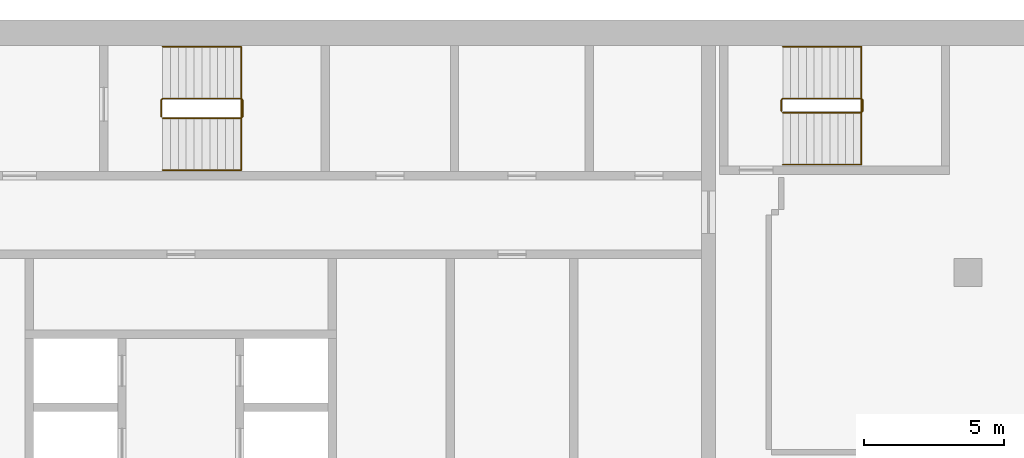
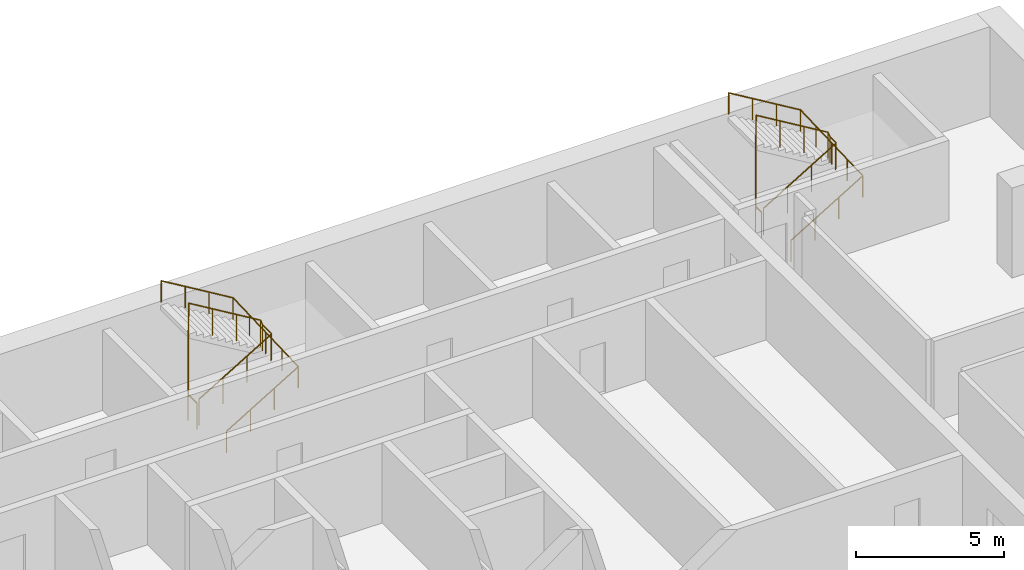
# One storey, part 16 of 16: 4 railings.
"""IFC4 building model written with IfcOpenShell, lengths in metres."""

from ifc_helpers import new_model, si_unit, direction, frame, origin, origin_2d, place, context, subcontext, project, spatial, circle, extrude, material, type_object, element, save


model = new_model("IFC4")

# Units and contexts
model_context = context("Model", 3, precision=1e-05, world=origin(), true_north=direction((0.0, 1.0)))
body_context = subcontext(model_context, "Body", "Model", "MODEL_VIEW")
ifc_project = project(units=[si_unit("LENGTHUNIT", "METRE"), si_unit("AREAUNIT", "SQUARE_METRE"), si_unit("VOLUMEUNIT", "CUBIC_METRE"), si_unit("PLANEANGLEUNIT", "RADIAN"), si_unit("MASSUNIT", "GRAM", prefix="KILO")], contexts=[model_context])

# Site, building, storey
site_placement = place(None, origin())
site = spatial("IfcSite", under=ifc_project, at=site_placement, CompositionType="ELEMENT")
building_placement = place(site_placement, origin())
building = spatial("IfcBuilding", under=site, at=building_placement, Name="Hunhe Ridgeline Campus", CompositionType="ELEMENT")
storey_placement = place(building_placement, frame((0.0, 0.0, 250.300048828125)))
storey = spatial("IfcBuildingStorey", under=building, at=storey_placement, Name="L64", CompositionType="ELEMENT", Elevation=250.300048828125)

# Railings
ifc_material_1 = material(Name="Stainless steel balustrade", Category="steel")
railing_type_1 = type_object("IfcRailingType", Name="Stair guard 1100 stainless", PredefinedType="GUARDRAIL", material=ifc_material_1)
railing_1_placement = place(storey_placement, frame((16.300048828125, 95.5, 0.168212890625)))
element("IfcRailing", 1, at=railing_1_placement, inside=storey, type_object=railing_type_1, Name="L64 stair S1 guard", PredefinedType="GUARDRAIL", context=body_context, shape_type="SweptSolid", body=[
    extrude(circle(Radius=0.02392578125, at=origin_2d()), frame((0.0, 0.0, 1.076171875), z_axis=(0.857275202839, 0.0, 0.514858452973), x_axis=(0.0, 1.0, 0.0)), (0.0, 0.0, 1.0), 3.26611328125),
    extrude(circle(Radius=0.02392578125, at=origin_2d()), frame((2.800048828125, 0.0, 2.7578125), z_axis=(0.705375805398, 0.708833529934, 0.0), x_axis=(-0.708833529934, 0.705375805398, 0.0)), (0.0, 0.0, 1.0), 0.070556640625),
    extrude(circle(Radius=0.02392578125, at=origin_2d()), frame((2.849853515625, 0.050048828125, 2.7578125), z_axis=(0.0, 1.0, 0.0), x_axis=(-1.0, 0.0, 0.0)), (0.0, 0.0, 1.0), 0.599853515625),
    extrude(circle(Radius=0.02392578125, at=origin_2d()), frame((2.849853515625, 0.64990234375, 2.7578125), z_axis=(-0.273006030465, 0.27434429532, 0.922064485248), x_axis=(-0.708833529934, -0.705375805398, 0.0)), (0.0, 0.0, 1.0), 0.182373046875),
    extrude(circle(Radius=0.02392578125, at=origin_2d()), frame((2.800048828125, 0.699951171875, 2.92578125), z_axis=(-0.857242210791, 0.0, 0.514913383045), x_axis=(0.0, -1.0, 0.0)), (0.0, 0.0, 1.0), 3.266357421875),
    extrude(circle(Radius=0.02392578125, at=origin_2d()), frame((0.0, 0.699951171875, 4.60791015625), z_axis=(-0.013524414389, -0.013524414389, -0.999817073484), x_axis=(0.707106781187, -0.707106781187, 0.0)), (0.0, 0.0, 1.0), 3.70068359375),
    extrude(circle(Radius=0.02392578125, at=origin_2d()), frame((-0.050048828125, 0.64990234375, 0.90771484375), z_axis=(0.0, -1.0, 0.0), x_axis=(1.0, 0.0, 0.0)), (0.0, 0.0, 1.0), 0.599853515625),
    extrude(circle(Radius=0.02099609375, at=origin_2d()), origin(), (0.0, 0.0, 1.0), 1.052001953125),
    extrude(circle(Radius=0.02099609375, at=origin_2d()), frame((0.933349609375, 0.0, 0.560546875)), (0.0, 0.0, 1.0), 1.052001953125),
    extrude(circle(Radius=0.02099609375, at=origin_2d()), frame((1.86669921875, 0.0, 1.12109375)), (0.0, 0.0, 1.0), 1.052001953125),
    extrude(circle(Radius=0.02099609375, at=origin_2d()), frame((2.800048828125, 0.0, 1.681640625)), (0.0, 0.0, 1.0), 1.052001953125),
    extrude(circle(Radius=0.02099609375, at=origin_2d()), frame((2.849853515625, 0.050048828125, 1.681640625)), (0.0, 0.0, 1.0), 1.052001953125),
    extrude(circle(Radius=0.02099609375, at=origin_2d()), frame((2.849853515625, 0.64990234375, 1.681640625)), (0.0, 0.0, 1.0), 1.052001953125),
    extrude(circle(Radius=0.02099609375, at=origin_2d()), frame((2.800048828125, 0.699951171875, 1.849853515625)), (0.0, 0.0, 1.0), 1.052001953125),
    extrude(circle(Radius=0.02099609375, at=origin_2d()), frame((1.86669921875, 0.699951171875, 2.410400390625)), (0.0, 0.0, 1.0), 1.052001953125),
    extrude(circle(Radius=0.02099609375, at=origin_2d()), frame((0.933349609375, 0.699951171875, 2.97119140625)), (0.0, 0.0, 1.0), 1.052001953125),
    extrude(circle(Radius=0.02099609375, at=origin_2d()), frame((0.0, 0.699951171875, 3.53173828125)), (0.0, 0.0, 1.0), 1.052001953125),
    extrude(circle(Radius=0.02099609375, at=origin_2d()), frame((-0.012451171875, 0.6875, 2.606689453125)), (0.0, 0.0, 1.0), 1.052001953125),
    extrude(circle(Radius=0.02099609375, at=origin_2d()), frame((-0.02490234375, 0.6748046875, 1.681640625)), (0.0, 0.0, 1.0), 1.052001953125),
    extrude(circle(Radius=0.02099609375, at=origin_2d()), frame((-0.03759765625, 0.662353515625, 0.7568359375)), (0.0, 0.0, 1.0), 1.052001953125),
    extrude(circle(Radius=0.02099609375, at=origin_2d()), frame((-0.050048828125, 0.64990234375, -0.168212890625)), (0.0, 0.0, 1.0), 1.052001953125),
    extrude(circle(Radius=0.02099609375, at=origin_2d()), frame((-0.050048828125, 0.050048828125, -0.168212890625)), (0.0, 0.0, 1.0), 1.052001953125),
])
railing_2_placement = place(storey_placement, frame((38.39990234375, 95.699951171875, 0.168212890625)))
element("IfcRailing", 2, at=railing_2_placement, inside=storey, type_object=railing_type_1, Name="L64 stair E1 guard", PredefinedType="GUARDRAIL", context=body_context, shape_type="SweptSolid", body=[
    extrude(circle(Radius=0.02392578125, at=origin_2d()), frame((0.0, 0.0, 1.076171875), z_axis=(0.857275202839, 0.0, 0.514858452973), x_axis=(0.0, 1.0, 0.0)), (0.0, 0.0, 1.0), 3.26611328125),
    extrude(circle(Radius=0.02392578125, at=origin_2d()), frame((2.800048828125, 0.0, 2.7578125), z_axis=(0.707106781187, 0.707106781187, 0.0), x_axis=(-0.707106781187, 0.707106781187, 0.0)), (0.0, 0.0, 1.0), 0.07080078125),
    extrude(circle(Radius=0.02392578125, at=origin_2d()), frame((2.85009765625, 0.050048828125, 2.7578125), z_axis=(0.0, 1.0, 0.0), x_axis=(-1.0, 0.0, 0.0)), (0.0, 0.0, 1.0), 0.39990234375),
    extrude(circle(Radius=0.02392578125, at=origin_2d()), frame((2.85009765625, 0.449951171875, 2.7578125), z_axis=(-0.274243871929, 0.274243871929, 0.92172696468), x_axis=(-0.707106781187, -0.707106781187, 0.0)), (0.0, 0.0, 1.0), 0.1826171875),
    extrude(circle(Radius=0.02392578125, at=origin_2d()), frame((2.800048828125, 0.5, 2.92578125), z_axis=(-0.857242210791, 0.0, 0.514913383045), x_axis=(0.0, -1.0, 0.0)), (0.0, 0.0, 1.0), 3.266357421875),
    extrude(circle(Radius=0.02392578125, at=origin_2d()), frame((0.0, 0.5, 4.60791015625), z_axis=(-0.013458453615, -0.013524426427, -0.999817963389), x_axis=(0.708833529934, -0.705375805398, 0.0)), (0.0, 0.0, 1.0), 3.70068359375),
    extrude(circle(Radius=0.02392578125, at=origin_2d()), frame((-0.0498046875, 0.449951171875, 0.90771484375), z_axis=(0.0, -1.0, 0.0), x_axis=(1.0, 0.0, 0.0)), (0.0, 0.0, 1.0), 0.39990234375),
    extrude(circle(Radius=0.02099609375, at=origin_2d()), origin(), (0.0, 0.0, 1.0), 1.052001953125),
    extrude(circle(Radius=0.02099609375, at=origin_2d()), frame((0.933349609375, 0.0, 0.560546875)), (0.0, 0.0, 1.0), 1.052001953125),
    extrude(circle(Radius=0.02099609375, at=origin_2d()), frame((1.86669921875, 0.0, 1.12109375)), (0.0, 0.0, 1.0), 1.052001953125),
    extrude(circle(Radius=0.02099609375, at=origin_2d()), frame((2.800048828125, 0.0, 1.681640625)), (0.0, 0.0, 1.0), 1.052001953125),
    extrude(circle(Radius=0.02099609375, at=origin_2d()), frame((2.85009765625, 0.050048828125, 1.681640625)), (0.0, 0.0, 1.0), 1.052001953125),
    extrude(circle(Radius=0.02099609375, at=origin_2d()), frame((2.85009765625, 0.449951171875, 1.681640625)), (0.0, 0.0, 1.0), 1.052001953125),
    extrude(circle(Radius=0.02099609375, at=origin_2d()), frame((2.800048828125, 0.5, 1.849853515625)), (0.0, 0.0, 1.0), 1.052001953125),
    extrude(circle(Radius=0.02099609375, at=origin_2d()), frame((1.86669921875, 0.5, 2.410400390625)), (0.0, 0.0, 1.0), 1.052001953125),
    extrude(circle(Radius=0.02099609375, at=origin_2d()), frame((0.933349609375, 0.5, 2.97119140625)), (0.0, 0.0, 1.0), 1.052001953125),
    extrude(circle(Radius=0.02099609375, at=origin_2d()), frame((0.0, 0.5, 3.53173828125)), (0.0, 0.0, 1.0), 1.052001953125),
    extrude(circle(Radius=0.02099609375, at=origin_2d()), frame((-0.012451171875, 0.487548828125, 2.606689453125)), (0.0, 0.0, 1.0), 1.052001953125),
    extrude(circle(Radius=0.02099609375, at=origin_2d()), frame((-0.02490234375, 0.47509765625, 1.681640625)), (0.0, 0.0, 1.0), 1.052001953125),
    extrude(circle(Radius=0.02099609375, at=origin_2d()), frame((-0.037353515625, 0.46240234375, 0.7568359375)), (0.0, 0.0, 1.0), 1.052001953125),
    extrude(circle(Radius=0.02099609375, at=origin_2d()), frame((-0.0498046875, 0.449951171875, -0.168212890625)), (0.0, 0.0, 1.0), 1.052001953125),
    extrude(circle(Radius=0.02099609375, at=origin_2d()), frame((-0.0498046875, 0.050048828125, -0.168212890625)), (0.0, 0.0, 1.0), 1.052001953125),
])
ifc_material_2 = material(Name="Stainless steel handrail", Category="steel")
railing_type_2 = type_object("IfcRailingType", Name="Stair handrail 900 stainless", PredefinedType="HANDRAIL", material=ifc_material_2)
railing_3_placement = place(storey_placement, frame((16.300048828125, 93.64990234375, 0.168212890625)))
element("IfcRailing", 3, at=railing_3_placement, inside=storey, type_object=railing_type_2, Name="L64 stair S1 handrail", PredefinedType="HANDRAIL", context=body_context, shape_type="SweptSolid", body=[
    extrude(circle(Radius=0.02392578125, at=origin_2d()), frame((0.0, 0.0, 0.8759765625), z_axis=(0.857275202839, 0.0, 0.514858452973), x_axis=(0.0, 1.0, 0.0)), (0.0, 0.0, 1.0), 3.26611328125),
    extrude(circle(Radius=0.02392578125, at=origin_2d()), frame((2.800048828125, 0.0, 2.5576171875), z_axis=(0.0, 0.999270074432, 0.038201025428), x_axis=(-1.0, 0.0, 0.0)), (0.0, 0.0, 1.0), 4.4033203125),
    extrude(circle(Radius=0.02392578125, at=origin_2d()), frame((2.800048828125, 4.400146484375, 2.7255859375), z_axis=(-0.857242210791, 0.0, 0.514913383045), x_axis=(0.0, -1.0, 0.0)), (0.0, 0.0, 1.0), 3.266357421875),
    extrude(circle(Radius=0.02099609375, at=origin_2d()), origin(), (0.0, 0.0, 1.0), 0.851806640625),
    extrude(circle(Radius=0.02099609375, at=origin_2d()), frame((0.933349609375, 0.0, 0.560546875)), (0.0, 0.0, 1.0), 0.851806640625),
    extrude(circle(Radius=0.02099609375, at=origin_2d()), frame((1.86669921875, 0.0, 1.12109375)), (0.0, 0.0, 1.0), 0.851806640625),
    extrude(circle(Radius=0.02099609375, at=origin_2d()), frame((2.800048828125, 0.0, 1.681640625)), (0.0, 0.0, 1.0), 0.851806640625),
    extrude(circle(Radius=0.02099609375, at=origin_2d()), frame((2.800048828125, 1.10009765625, 1.7236328125)), (0.0, 0.0, 1.0), 0.851806640625),
    extrude(circle(Radius=0.02099609375, at=origin_2d()), frame((2.800048828125, 2.2001953125, 1.765625)), (0.0, 0.0, 1.0), 0.851806640625),
    extrude(circle(Radius=0.02099609375, at=origin_2d()), frame((2.800048828125, 3.300048828125, 1.807861328125)), (0.0, 0.0, 1.0), 0.851806640625),
    extrude(circle(Radius=0.02099609375, at=origin_2d()), frame((2.800048828125, 4.400146484375, 1.849853515625)), (0.0, 0.0, 1.0), 0.851806640625),
    extrude(circle(Radius=0.02099609375, at=origin_2d()), frame((1.86669921875, 4.400146484375, 2.410400390625)), (0.0, 0.0, 1.0), 0.851806640625),
    extrude(circle(Radius=0.02099609375, at=origin_2d()), frame((0.933349609375, 4.400146484375, 2.97119140625)), (0.0, 0.0, 1.0), 0.851806640625),
    extrude(circle(Radius=0.02099609375, at=origin_2d()), frame((0.0, 4.400146484375, 3.53173828125)), (0.0, 0.0, 1.0), 0.851806640625),
])
railing_4_placement = place(storey_placement, frame((38.39990234375, 93.85009765625, 0.168212890625)))
element("IfcRailing", 4, at=railing_4_placement, inside=storey, type_object=railing_type_2, Name="L64 stair E1 handrail", PredefinedType="HANDRAIL", context=body_context, shape_type="SweptSolid", body=[
    extrude(circle(Radius=0.02392578125, at=origin_2d()), frame((0.0, 0.0, 0.8759765625), z_axis=(0.857275202839, 0.0, 0.514858452973), x_axis=(0.0, 1.0, 0.0)), (0.0, 0.0, 1.0), 3.26611328125),
    extrude(circle(Radius=0.02392578125, at=origin_2d()), frame((2.800048828125, 0.0, 2.5576171875), z_axis=(0.0, 0.999198916169, 0.040019069537), x_axis=(-1.0, 0.0, 0.0)), (0.0, 0.0, 1.0), 4.203369140625),
    extrude(circle(Radius=0.02392578125, at=origin_2d()), frame((2.800048828125, 4.199951171875, 2.7255859375), z_axis=(-0.857242210791, 0.0, 0.514913383045), x_axis=(0.0, -1.0, 0.0)), (0.0, 0.0, 1.0), 3.266357421875),
    extrude(circle(Radius=0.02099609375, at=origin_2d()), origin(), (0.0, 0.0, 1.0), 0.851806640625),
    extrude(circle(Radius=0.02099609375, at=origin_2d()), frame((0.933349609375, 0.0, 0.560546875)), (0.0, 0.0, 1.0), 0.851806640625),
    extrude(circle(Radius=0.02099609375, at=origin_2d()), frame((1.86669921875, 0.0, 1.12109375)), (0.0, 0.0, 1.0), 0.851806640625),
    extrude(circle(Radius=0.02099609375, at=origin_2d()), frame((2.800048828125, 0.0, 1.681640625)), (0.0, 0.0, 1.0), 0.851806640625),
    extrude(circle(Radius=0.02099609375, at=origin_2d()), frame((2.800048828125, 1.050048828125, 1.7236328125)), (0.0, 0.0, 1.0), 0.851806640625),
    extrude(circle(Radius=0.02099609375, at=origin_2d()), frame((2.800048828125, 2.10009765625, 1.765625)), (0.0, 0.0, 1.0), 0.851806640625),
    extrude(circle(Radius=0.02099609375, at=origin_2d()), frame((2.800048828125, 3.14990234375, 1.807861328125)), (0.0, 0.0, 1.0), 0.851806640625),
    extrude(circle(Radius=0.02099609375, at=origin_2d()), frame((2.800048828125, 4.199951171875, 1.849853515625)), (0.0, 0.0, 1.0), 0.851806640625),
    extrude(circle(Radius=0.02099609375, at=origin_2d()), frame((1.86669921875, 4.199951171875, 2.410400390625)), (0.0, 0.0, 1.0), 0.851806640625),
    extrude(circle(Radius=0.02099609375, at=origin_2d()), frame((0.933349609375, 4.199951171875, 2.97119140625)), (0.0, 0.0, 1.0), 0.851806640625),
    extrude(circle(Radius=0.02099609375, at=origin_2d()), frame((0.0, 4.199951171875, 3.53173828125)), (0.0, 0.0, 1.0), 0.851806640625),
])

save(model, "model.ifc")
